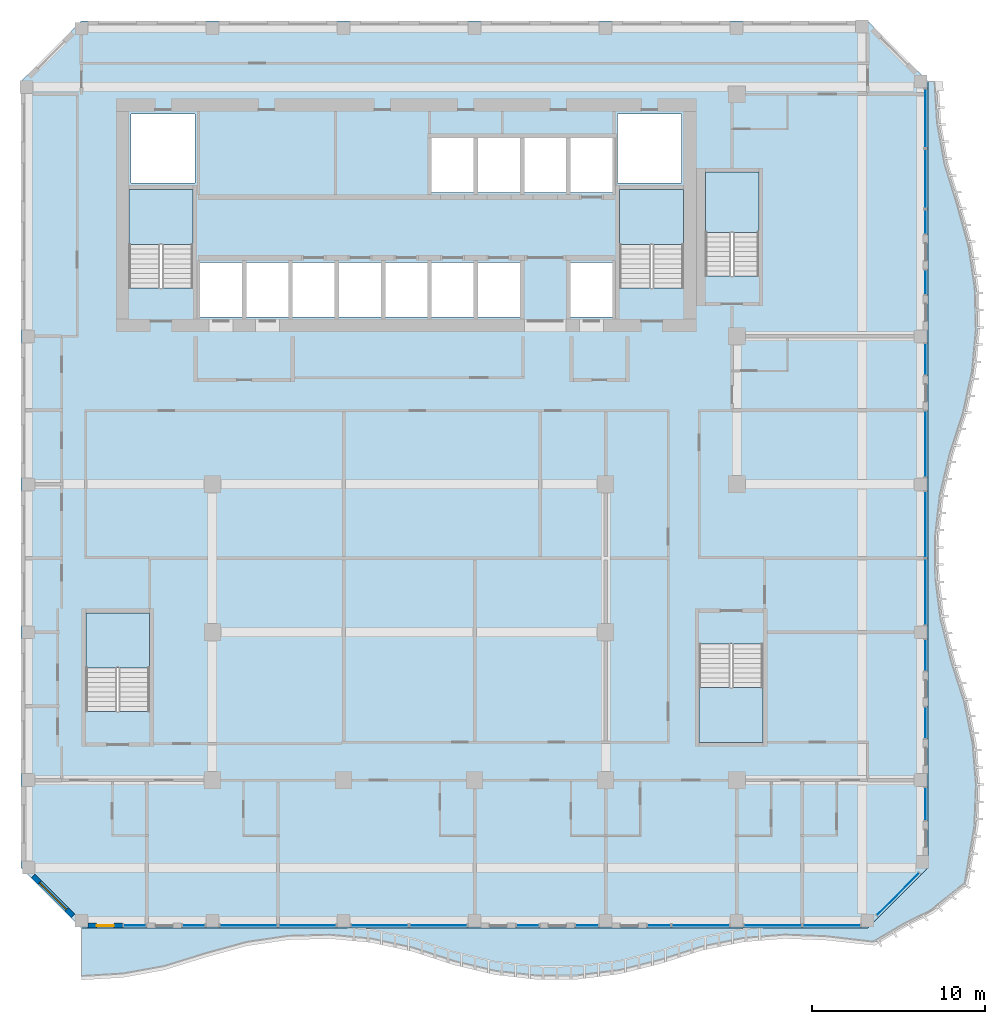
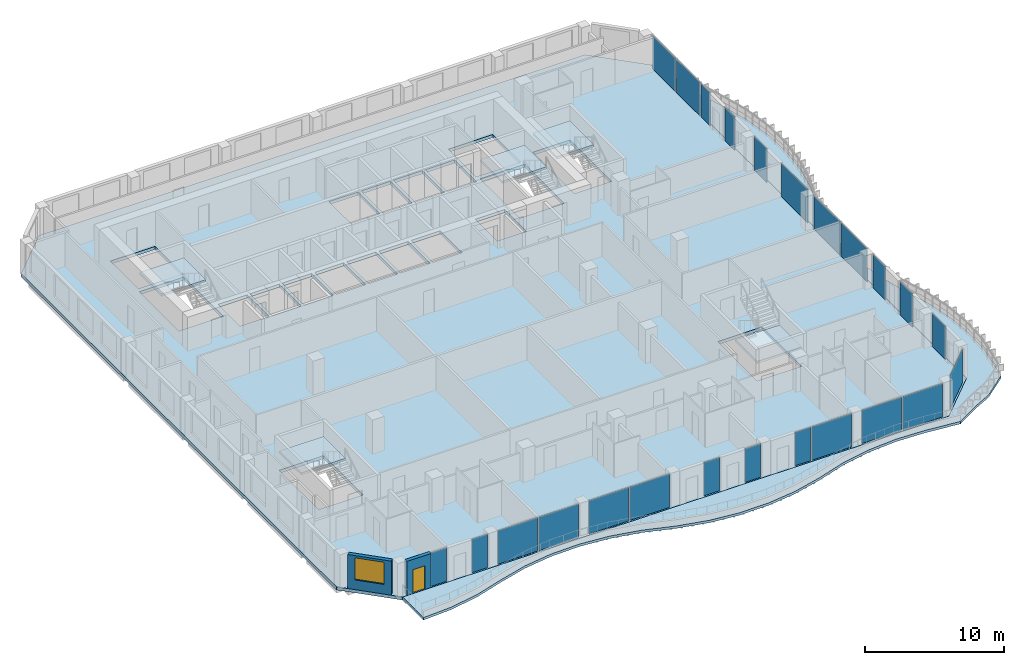
# One storey, part 9 of 22: 24 plates, 7 slabs, 2 walls, 1 door, 1 window, 2 openings, 29 elements without a shape of their own.
"""IFC4 building model written with IfcOpenShell, lengths in metres."""

from ifc_helpers import new_model, si_unit, direction, frame, frame_2d, origin, origin_2d, place, context, subcontext, project, spatial, polyline, rectangle, outline, extrude, source, transform, mapped, material, layer, layer_set, type_object, element, fill, aggregate, save


model = new_model("IFC4")

# Units and contexts
model_context = context("Model", 3, precision=1e-05, world=origin(), true_north=direction((0.0, 1.0)))
body_context = subcontext(model_context, "Body", "Model", "MODEL_VIEW")
ifc_project = project(units=[si_unit("LENGTHUNIT", "METRE"), si_unit("AREAUNIT", "SQUARE_METRE"), si_unit("VOLUMEUNIT", "CUBIC_METRE"), si_unit("PLANEANGLEUNIT", "RADIAN"), si_unit("MASSUNIT", "GRAM", prefix="KILO")], contexts=[model_context])

# Site, building, storey
site_placement = place(None, origin())
site = spatial("IfcSite", under=ifc_project, at=site_placement, CompositionType="ELEMENT")
building_placement = place(site_placement, origin())
building = spatial("IfcBuilding", under=site, at=building_placement, Name="Kilnfold Tower and Market Hall", CompositionType="ELEMENT")
storey_placement = place(building_placement, frame((0.0, 0.0, 220.300048828125)))
storey = spatial("IfcBuildingStorey", under=building, at=storey_placement, Name="L54", CompositionType="ELEMENT", Elevation=220.300048828125)

# Slab
ifc_material_1 = material(Name="Concrete C45", Category="concrete")
ifc_layer_1 = layer(ifc_material_1, 0.280029296875)
ifc_layer_set_1 = layer_set([ifc_layer_1], Name="Concrete C45")
slab_type_1 = type_object("IfcSlabType", Name="FLOOR SLAB 280", PredefinedType="FLOOR", material=ifc_layer_set_1)
shared_shape_1 = source(origin(), body_context, "Body", "SweptSolid", [
    extrude(outline(polyline([(-17.75, -26.25), (27.75, -26.25), (31.25, -22.75), (31.25, 22.75), (27.75, 26.25), (-17.75, 26.25), (-21.25, 22.75), (-21.25, -22.75), (-17.75, -26.25)]), holes=[polyline([(-13.800537109375, -13.699462890625), (-17.49951171875, -13.699462890625), (-17.49951171875, -8.00048828125), (-13.800537109375, -8.00048828125), (-13.800537109375, -13.699462890625)]), polyline([(-14.99951171875, 10.800537109375), (-14.99951171875, 16.49951171875), (-11.300537109375, 16.49951171875), (-11.300537109375, 10.800537109375), (-14.99951171875, 10.800537109375)]), polyline([(-11.175048828125, 16.875), (-14.875, 16.875), (-14.875, 20.875), (-11.175048828125, 20.875), (-11.175048828125, 16.875)]), polyline([(-8.455078125, 9.125), (-10.885009765625, 9.125), (-10.885009765625, 12.27490234375), (-8.455078125, 12.27490234375), (-8.455078125, 9.125)]), polyline([(-5.77490234375, 9.125), (-8.205078125, 9.125), (-8.205078125, 12.27490234375), (-5.77490234375, 12.27490234375), (-5.77490234375, 9.125)]), polyline([(-3.094970703125, 9.125), (-5.52490234375, 9.125), (-5.52490234375, 12.27490234375), (-3.094970703125, 12.27490234375), (-3.094970703125, 9.125)]), polyline([(-0.4150390625, 9.125), (-2.844970703125, 9.125), (-2.844970703125, 12.27490234375), (-0.4150390625, 12.27490234375), (-0.4150390625, 9.125)]), polyline([(2.264892578125, 9.125), (-0.1650390625, 9.125), (-0.1650390625, 12.27490234375), (2.264892578125, 12.27490234375), (2.264892578125, 9.125)]), polyline([(4.945068359375, 9.125), (2.514892578125, 9.125), (2.514892578125, 12.27490234375), (4.945068359375, 12.27490234375), (4.945068359375, 9.125)]), polyline([(2.514892578125, 16.324951171875), (2.514892578125, 19.47509765625), (4.945068359375, 19.47509765625), (4.945068359375, 16.324951171875), (2.514892578125, 16.324951171875)]), polyline([(7.625, 9.125), (5.195068359375, 9.125), (5.195068359375, 12.27490234375), (7.625, 12.27490234375), (7.625, 9.125)]), polyline([(7.625, 16.324951171875), (5.195068359375, 16.324951171875), (5.195068359375, 19.47509765625), (7.625, 19.47509765625), (7.625, 16.324951171875)]), polyline([(10.304931640625, 16.324951171875), (7.875, 16.324951171875), (7.875, 19.47509765625), (10.304931640625, 19.47509765625), (10.304931640625, 16.324951171875)]), polyline([(10.554931640625, 9.125), (10.554931640625, 12.27490234375), (12.985107421875, 12.27490234375), (12.985107421875, 9.125), (10.554931640625, 9.125)]), polyline([(10.554931640625, 16.324951171875), (10.554931640625, 19.47509765625), (12.985107421875, 19.47509765625), (12.985107421875, 16.324951171875), (10.554931640625, 16.324951171875)]), polyline([(13.27490234375, 16.875), (13.27490234375, 20.875), (16.97509765625, 20.875), (16.97509765625, 16.875), (13.27490234375, 16.875)]), polyline([(13.400390625, 10.800537109375), (13.400390625, 16.49951171875), (17.099609375, 16.49951171875), (17.099609375, 10.800537109375), (13.400390625, 10.800537109375)]), polyline([(18.00048828125, -9.800537109375), (21.699462890625, -9.800537109375), (21.699462890625, -15.49951171875), (18.00048828125, -15.49951171875), (18.00048828125, -9.800537109375)]), polyline([(21.449462890625, 11.50048828125), (18.3505859375, 11.50048828125), (18.3505859375, 17.49951171875), (21.449462890625, 17.49951171875), (21.449462890625, 11.50048828125)])]), origin(), (0.0, 0.0, 1.0), 0.280029296875),
])
slab_1_placement = place(storey_placement, frame((0.0, 0.0, -0.280029296875)))
element("IfcSlab", 1, at=slab_1_placement, inside=storey, type_object=slab_type_1, Name="Floor slab L54", PredefinedType="FLOOR", context=body_context, shape_type="MappedRepresentation", body=[
    mapped(shared_shape_1, transform((0.0, 0.0, 0.0))),
])

# Curtain wall, plate
ifc_material_2 = material(Name="Aluminium and double glazing", Category="aluminium")
curtain_wall_type = type_object("IfcCurtainWallType", Name="CW GARDEN HOTEL WINTER GARDEN", PredefinedType="NOTDEFINED", material=ifc_material_2)
curtain_wall_1_placement = place(storey_placement, origin())
curtain_wall_1 = element("IfcCurtainWall", 2, at=curtain_wall_1_placement, inside=storey, type_object=curtain_wall_type, Name="Curtain wall CW5 L54 S", PredefinedType="NOTDEFINED")
ifc_material_3 = material(Name="Double glazed unit")
ifc_layer_2 = layer(ifc_material_3, 0.033935546875)
ifc_layer_set_2 = layer_set([ifc_layer_2], Name="Double glazed unit")
plate_type = type_object("IfcPlateType", Name="GLAZING PANEL 34", PredefinedType="CURTAIN_PANEL", material=ifc_layer_set_2)
shared_shape_2 = source(origin(), body_context, "Body", "SweptSolid", [
    extrude(rectangle(XDim=1.28662109375, YDim=0.033935546875, at=origin_2d()), origin(), (0.0, 0.0, 1.0), 2.93505859375),
])
plate_1_placement = place(storey_placement, frame((-14.666748046875, -26.10009765625, 0.0), z_axis=(0.0, 0.0, 1.0), x_axis=(1.0, 0.0, 0.0)))
plate_1 = element("IfcPlate", 3, at=plate_1_placement, type_object=plate_type, Name="CW5 panel 1.1", PredefinedType="CURTAIN_PANEL", context=body_context, shape_type="MappedRepresentation", body=[
    mapped(shared_shape_2, transform((0.0, 0.0, 0.0))),
])
aggregate(curtain_wall_1, [plate_1])

curtain_wall_2_placement = place(storey_placement, origin())
curtain_wall_2 = element("IfcCurtainWall", 4, at=curtain_wall_2_placement, inside=storey, type_object=curtain_wall_type, Name="Curtain wall CW5 L54 S", PredefinedType="NOTDEFINED")
plate_2_placement = place(storey_placement, frame((-11.25, -26.10009765625, 0.0), z_axis=(0.0, 0.0, 1.0), x_axis=(1.0, 0.0, 0.0)))
plate_2 = element("IfcPlate", 5, at=plate_2_placement, type_object=plate_type, Name="CW5 panel 1.1", PredefinedType="CURTAIN_PANEL", context=body_context, shape_type="MappedRepresentation", body=[
    mapped(shared_shape_2, transform((0.0, 0.0, 0.0))),
])
aggregate(curtain_wall_2, [plate_2])

curtain_wall_3_placement = place(storey_placement, origin())
curtain_wall_3 = element("IfcCurtainWall", 6, at=curtain_wall_3_placement, inside=storey, type_object=curtain_wall_type, Name="Curtain wall CW5 L54 S", PredefinedType="NOTDEFINED")
plate_3_placement = place(storey_placement, frame((8.083251953125, -26.10009765625, 0.0), z_axis=(0.0, 0.0, 1.0), x_axis=(1.0, 0.0, 0.0)))
plate_3 = element("IfcPlate", 7, at=plate_3_placement, type_object=plate_type, Name="CW5 panel 1.1", PredefinedType="CURTAIN_PANEL", context=body_context, shape_type="MappedRepresentation", body=[
    mapped(shared_shape_2, transform((0.0, 0.0, 0.0))),
])
aggregate(curtain_wall_3, [plate_3])

curtain_wall_4_placement = place(storey_placement, origin())
curtain_wall_4 = element("IfcCurtainWall", 8, at=curtain_wall_4_placement, inside=storey, type_object=curtain_wall_type, Name="Curtain wall CW5 L54 S", PredefinedType="NOTDEFINED")
plate_4_placement = place(storey_placement, frame((11.5, -26.10009765625, 0.0), z_axis=(0.0, 0.0, 1.0), x_axis=(1.0, 0.0, 0.0)))
plate_4 = element("IfcPlate", 9, at=plate_4_placement, type_object=plate_type, Name="CW5 panel 1.1", PredefinedType="CURTAIN_PANEL", context=body_context, shape_type="MappedRepresentation", body=[
    mapped(shared_shape_2, transform((0.0, 0.0, 0.0))),
])
aggregate(curtain_wall_4, [plate_4])

curtain_wall_5_placement = place(storey_placement, origin())
curtain_wall_5 = element("IfcCurtainWall", 10, at=curtain_wall_5_placement, inside=storey, type_object=curtain_wall_type, Name="Curtain wall CW5 L54 S", PredefinedType="NOTDEFINED")
plate_5_placement = place(storey_placement, frame((15.666748046875, -26.10009765625, 0.0), z_axis=(0.0, 0.0, 1.0), x_axis=(1.0, 0.0, 0.0)))
plate_5 = element("IfcPlate", 11, at=plate_5_placement, type_object=plate_type, Name="CW5 panel 1.1", PredefinedType="CURTAIN_PANEL", context=body_context, shape_type="MappedRepresentation", body=[
    mapped(shared_shape_2, transform((0.0, 0.0, 0.0))),
])
aggregate(curtain_wall_5, [plate_5])

curtain_wall_6_placement = place(storey_placement, origin())
curtain_wall_6 = element("IfcCurtainWall", 12, at=curtain_wall_6_placement, inside=storey, type_object=curtain_wall_type, Name="Curtain wall CW5 L54 S", PredefinedType="NOTDEFINED")
shared_shape_3 = source(origin(), body_context, "Body", "SweptSolid", [
    extrude(rectangle(XDim=3.28662109375, YDim=0.033935546875, at=origin_2d()), origin(), (0.0, 0.0, 1.0), 2.93505859375),
])
plate_6_placement = place(storey_placement, frame((-8.083251953125, -26.10009765625, 0.0), z_axis=(0.0, 0.0, 1.0), x_axis=(1.0, 0.0, 0.0)))
plate_6 = element("IfcPlate", 13, at=plate_6_placement, type_object=plate_type, Name="CW5 panel 1.1", PredefinedType="CURTAIN_PANEL", context=body_context, shape_type="MappedRepresentation", body=[
    mapped(shared_shape_3, transform((0.0, 0.0, 0.0))),
])
aggregate(curtain_wall_6, [plate_6])

curtain_wall_7_placement = place(storey_placement, origin())
curtain_wall_7 = element("IfcCurtainWall", 14, at=curtain_wall_7_placement, inside=storey, type_object=curtain_wall_type, Name="Curtain wall CW5 L54 S", PredefinedType="NOTDEFINED")
plate_7_placement = place(storey_placement, frame((-4.666748046875, -26.10009765625, 0.0), z_axis=(0.0, 0.0, 1.0), x_axis=(1.0, 0.0, 0.0)))
plate_7 = element("IfcPlate", 15, at=plate_7_placement, type_object=plate_type, Name="CW5 panel 1.1", PredefinedType="CURTAIN_PANEL", context=body_context, shape_type="MappedRepresentation", body=[
    mapped(shared_shape_3, transform((0.0, 0.0, 0.0))),
])
aggregate(curtain_wall_7, [plate_7])

curtain_wall_8_placement = place(storey_placement, origin())
curtain_wall_8 = element("IfcCurtainWall", 16, at=curtain_wall_8_placement, inside=storey, type_object=curtain_wall_type, Name="Curtain wall CW5 L54 S", PredefinedType="NOTDEFINED")
plate_8_placement = place(storey_placement, frame((-0.5, -26.10009765625, 0.0), z_axis=(0.0, 0.0, 1.0), x_axis=(1.0, 0.0, 0.0)))
plate_8 = element("IfcPlate", 17, at=plate_8_placement, type_object=plate_type, Name="CW5 panel 1.1", PredefinedType="CURTAIN_PANEL", context=body_context, shape_type="MappedRepresentation", body=[
    mapped(shared_shape_3, transform((0.0, 0.0, 0.0))),
])
aggregate(curtain_wall_8, [plate_8])

curtain_wall_9_placement = place(storey_placement, origin())
curtain_wall_9 = element("IfcCurtainWall", 18, at=curtain_wall_9_placement, inside=storey, type_object=curtain_wall_type, Name="Curtain wall CW5 L54 S", PredefinedType="NOTDEFINED")
plate_9_placement = place(storey_placement, frame((2.916748046875, -26.10009765625, 0.0), z_axis=(0.0, 0.0, 1.0), x_axis=(1.0, 0.0, 0.0)))
plate_9 = element("IfcPlate", 19, at=plate_9_placement, type_object=plate_type, Name="CW5 panel 1.1", PredefinedType="CURTAIN_PANEL", context=body_context, shape_type="MappedRepresentation", body=[
    mapped(shared_shape_3, transform((0.0, 0.0, 0.0))),
])
aggregate(curtain_wall_9, [plate_9])

curtain_wall_10_placement = place(storey_placement, origin())
curtain_wall_10 = element("IfcCurtainWall", 20, at=curtain_wall_10_placement, inside=storey, type_object=curtain_wall_type, Name="Curtain wall CW5 L54 S", PredefinedType="NOTDEFINED")
plate_10_placement = place(storey_placement, frame((18.083251953125, -26.10009765625, 0.0), z_axis=(0.0, 0.0, 1.0), x_axis=(1.0, 0.0, 0.0)))
plate_10 = element("IfcPlate", 21, at=plate_10_placement, type_object=plate_type, Name="CW5 panel 1.1", PredefinedType="CURTAIN_PANEL", context=body_context, shape_type="MappedRepresentation", body=[
    mapped(shared_shape_3, transform((0.0, 0.0, 0.0))),
])
aggregate(curtain_wall_10, [plate_10])

curtain_wall_11_placement = place(storey_placement, origin())
curtain_wall_11 = element("IfcCurtainWall", 22, at=curtain_wall_11_placement, inside=storey, type_object=curtain_wall_type, Name="Curtain wall CW5 L54 S", PredefinedType="NOTDEFINED")
plate_11_placement = place(storey_placement, frame((22.25, -26.10009765625, 0.0), z_axis=(0.0, 0.0, 1.0), x_axis=(1.0, 0.0, 0.0)))
plate_11 = element("IfcPlate", 23, at=plate_11_placement, type_object=plate_type, Name="CW5 panel 1.1", PredefinedType="CURTAIN_PANEL", context=body_context, shape_type="MappedRepresentation", body=[
    mapped(shared_shape_3, transform((0.0, 0.0, 0.0))),
])
aggregate(curtain_wall_11, [plate_11])

curtain_wall_12_placement = place(storey_placement, origin())
curtain_wall_12 = element("IfcCurtainWall", 24, at=curtain_wall_12_placement, inside=storey, type_object=curtain_wall_type, Name="Curtain wall CW5 L54 S", PredefinedType="NOTDEFINED")
plate_12_placement = place(storey_placement, frame((25.666748046875, -26.10009765625, 0.0), z_axis=(0.0, 0.0, 1.0), x_axis=(1.0, 0.0, 0.0)))
plate_12 = element("IfcPlate", 25, at=plate_12_placement, type_object=plate_type, Name="CW5 panel 1.1", PredefinedType="CURTAIN_PANEL", context=body_context, shape_type="MappedRepresentation", body=[
    mapped(shared_shape_3, transform((0.0, 0.0, 0.0))),
])
aggregate(curtain_wall_12, [plate_12])

curtain_wall_13_placement = place(storey_placement, origin())
curtain_wall_13 = element("IfcCurtainWall", 26, at=curtain_wall_13_placement, inside=storey, type_object=curtain_wall_type, Name="Curtain wall CW5 L54 SE", PredefinedType="NOTDEFINED")
shared_shape_4 = source(origin(), body_context, "Body", "SweptSolid", [
    extrude(rectangle(XDim=3.44091796875, YDim=0.033935546875, at=origin_2d()), origin(), (0.0, 0.0, 1.0), 2.93505859375),
])
plate_13_placement = place(storey_placement, frame((29.50634765625, -24.281494140625, 0.0), z_axis=(0.0, 0.0, 1.0), x_axis=(0.707092779216, 0.70712078288, 0.0)))
plate_13 = element("IfcPlate", 27, at=plate_13_placement, type_object=plate_type, Name="CW5 panel 1.1", PredefinedType="CURTAIN_PANEL", context=body_context, shape_type="MappedRepresentation", body=[
    mapped(shared_shape_4, transform((0.0, 0.0, 0.0))),
])
aggregate(curtain_wall_13, [plate_13])

curtain_wall_14_placement = place(storey_placement, origin())
curtain_wall_14 = element("IfcCurtainWall", 28, at=curtain_wall_14_placement, inside=storey, type_object=curtain_wall_type, Name="Curtain wall CW5 L54 E", PredefinedType="NOTDEFINED")
shared_shape_5 = source(origin(), body_context, "Body", "SweptSolid", [
    extrude(rectangle(XDim=1.8642578125, YDim=0.033935546875, at=origin_2d()), origin(), (0.0, 0.0, 1.0), 2.93505859375),
])
plate_14_placement = place(storey_placement, frame((31.10009765625, -19.0595703125, 0.0), z_axis=(0.0, 0.0, 1.0), x_axis=(0.0, 1.0, 0.0)))
plate_14 = element("IfcPlate", 29, at=plate_14_placement, type_object=plate_type, Name="CW5 panel 1.1", PredefinedType="CURTAIN_PANEL", context=body_context, shape_type="MappedRepresentation", body=[
    mapped(shared_shape_5, transform((0.0, 0.0, 0.0))),
])
aggregate(curtain_wall_14, [plate_14])

curtain_wall_15_placement = place(storey_placement, origin())
curtain_wall_15 = element("IfcCurtainWall", 30, at=curtain_wall_15_placement, inside=storey, type_object=curtain_wall_type, Name="Curtain wall CW5 L54 E", PredefinedType="NOTDEFINED")
shared_shape_6 = source(origin(), body_context, "Body", "SweptSolid", [
    extrude(rectangle(XDim=1.7763671875, YDim=0.033935546875, at=origin_2d()), origin(), (0.0, 0.0, 1.0), 2.93505859375),
])
plate_15_placement = place(storey_placement, frame((31.10009765625, -14.359375, 0.0), z_axis=(0.0, 0.0, 1.0), x_axis=(0.0, 1.0, 0.0)))
plate_15 = element("IfcPlate", 31, at=plate_15_placement, type_object=plate_type, Name="CW5 panel 1.1", PredefinedType="CURTAIN_PANEL", context=body_context, shape_type="MappedRepresentation", body=[
    mapped(shared_shape_6, transform((0.0, 0.0, 0.0))),
])
aggregate(curtain_wall_15, [plate_15])

curtain_wall_16_placement = place(storey_placement, origin())
curtain_wall_16 = element("IfcCurtainWall", 32, at=curtain_wall_16_placement, inside=storey, type_object=curtain_wall_type, Name="Curtain wall CW5 L54 E", PredefinedType="NOTDEFINED")
shared_shape_7 = source(origin(), body_context, "Body", "SweptSolid", [
    extrude(rectangle(XDim=1.776123046875, YDim=0.033935546875, at=origin_2d()), origin(), (0.0, 0.0, 1.0), 2.93505859375),
])
plate_16_placement = place(storey_placement, frame((31.10009765625, -10.453125, 0.0), z_axis=(0.0, 0.0, 1.0), x_axis=(0.0, 1.0, 0.0)))
plate_16 = element("IfcPlate", 33, at=plate_16_placement, type_object=plate_type, Name="CW5 panel 1.1", PredefinedType="CURTAIN_PANEL", context=body_context, shape_type="MappedRepresentation", body=[
    mapped(shared_shape_7, transform((0.0, 0.0, 0.0))),
])
aggregate(curtain_wall_16, [plate_16])

curtain_wall_17_placement = place(storey_placement, origin())
curtain_wall_17 = element("IfcCurtainWall", 34, at=curtain_wall_17_placement, inside=storey, type_object=curtain_wall_type, Name="Curtain wall CW5 L54 E", PredefinedType="NOTDEFINED")
plate_17_placement = place(storey_placement, frame((31.10009765625, 6.671875, 0.0), z_axis=(0.0, 0.0, 1.0), x_axis=(0.0, 1.0, 0.0)))
plate_17 = element("IfcPlate", 35, at=plate_17_placement, type_object=plate_type, Name="CW5 panel 1.1", PredefinedType="CURTAIN_PANEL", context=body_context, shape_type="MappedRepresentation", body=[
    mapped(shared_shape_7, transform((0.0, 0.0, 0.0))),
])
aggregate(curtain_wall_17, [plate_17])

curtain_wall_18_placement = place(storey_placement, origin())
curtain_wall_18 = element("IfcCurtainWall", 36, at=curtain_wall_18_placement, inside=storey, type_object=curtain_wall_type, Name="Curtain wall CW5 L54 E", PredefinedType="NOTDEFINED")
shared_shape_8 = source(origin(), body_context, "Body", "SweptSolid", [
    extrude(rectangle(XDim=3.776123046875, YDim=0.033935546875, at=origin_2d()), origin(), (0.0, 0.0, 1.0), 2.93505859375),
])
plate_18_placement = place(storey_placement, frame((31.10009765625, -6.796875, 0.0), z_axis=(0.0, 0.0, 1.0), x_axis=(0.0, 1.0, 0.0)))
plate_18 = element("IfcPlate", 37, at=plate_18_placement, type_object=plate_type, Name="CW5 panel 1.1", PredefinedType="CURTAIN_PANEL", context=body_context, shape_type="MappedRepresentation", body=[
    mapped(shared_shape_8, transform((0.0, 0.0, 0.0))),
])
aggregate(curtain_wall_18, [plate_18])

curtain_wall_19_placement = place(storey_placement, origin())
curtain_wall_19 = element("IfcCurtainWall", 38, at=curtain_wall_19_placement, inside=storey, type_object=curtain_wall_type, Name="Curtain wall CW5 L54 E", PredefinedType="NOTDEFINED")
shared_shape_9 = source(origin(), body_context, "Body", "SweptSolid", [
    extrude(rectangle(XDim=3.7763671875, YDim=0.033935546875, at=origin_2d()), origin(), (0.0, 0.0, 1.0), 2.93505859375),
])
plate_19_placement = place(storey_placement, frame((31.10009765625, -2.890625, 0.0), z_axis=(0.0, 0.0, 1.0), x_axis=(0.0, 1.0, 0.0)))
plate_19 = element("IfcPlate", 39, at=plate_19_placement, type_object=plate_type, Name="CW5 panel 1.1", PredefinedType="CURTAIN_PANEL", context=body_context, shape_type="MappedRepresentation", body=[
    mapped(shared_shape_9, transform((0.0, 0.0, 0.0))),
])
aggregate(curtain_wall_19, [plate_19])

curtain_wall_20_placement = place(storey_placement, origin())
curtain_wall_20 = element("IfcCurtainWall", 40, at=curtain_wall_20_placement, inside=storey, type_object=curtain_wall_type, Name="Curtain wall CW5 L54 E", PredefinedType="NOTDEFINED")
plate_20_placement = place(storey_placement, frame((31.10009765625, 1.765625, 0.0), z_axis=(0.0, 0.0, 1.0), x_axis=(0.0, 1.0, 0.0)))
plate_20 = element("IfcPlate", 41, at=plate_20_placement, type_object=plate_type, Name="CW5 panel 1.1", PredefinedType="CURTAIN_PANEL", context=body_context, shape_type="MappedRepresentation", body=[
    mapped(shared_shape_9, transform((0.0, 0.0, 0.0))),
])
aggregate(curtain_wall_20, [plate_20])

curtain_wall_21_placement = place(storey_placement, origin())
curtain_wall_21 = element("IfcCurtainWall", 42, at=curtain_wall_21_placement, inside=storey, type_object=curtain_wall_type, Name="Curtain wall CW5 L54 E", PredefinedType="NOTDEFINED")
shared_shape_10 = source(origin(), body_context, "Body", "SweptSolid", [
    extrude(rectangle(XDim=1.3701171875, YDim=0.033935546875, at=origin_2d()), origin(), (0.0, 0.0, 1.0), 2.93505859375),
])
plate_21_placement = place(storey_placement, frame((31.10009765625, 11.125, 0.0), z_axis=(0.0, 0.0, 1.0), x_axis=(0.0, 1.0, 0.0)))
plate_21 = element("IfcPlate", 43, at=plate_21_placement, type_object=plate_type, Name="CW5 panel 1.1", PredefinedType="CURTAIN_PANEL", context=body_context, shape_type="MappedRepresentation", body=[
    mapped(shared_shape_10, transform((0.0, 0.0, 0.0))),
])
aggregate(curtain_wall_21, [plate_21])

curtain_wall_22_placement = place(storey_placement, origin())
curtain_wall_22 = element("IfcCurtainWall", 44, at=curtain_wall_22_placement, inside=storey, type_object=curtain_wall_type, Name="Curtain wall CW5 L54 E", PredefinedType="NOTDEFINED")
plate_22_placement = place(storey_placement, frame((31.10009765625, 14.625, 0.0), z_axis=(0.0, 0.0, 1.0), x_axis=(0.0, 1.0, 0.0)))
plate_22 = element("IfcPlate", 45, at=plate_22_placement, type_object=plate_type, Name="CW5 panel 1.1", PredefinedType="CURTAIN_PANEL", context=body_context, shape_type="MappedRepresentation", body=[
    mapped(shared_shape_10, transform((0.0, 0.0, 0.0))),
])
aggregate(curtain_wall_22, [plate_22])

curtain_wall_23_placement = place(storey_placement, origin())
curtain_wall_23 = element("IfcCurtainWall", 46, at=curtain_wall_23_placement, inside=storey, type_object=curtain_wall_type, Name="Curtain wall CW5 L54 E", PredefinedType="NOTDEFINED")
shared_shape_11 = source(origin(), body_context, "Body", "SweptSolid", [
    extrude(rectangle(XDim=3.3701171875, YDim=0.033935546875, at=origin_2d()), origin(), (0.0, 0.0, 1.0), 2.93505859375),
])
plate_23_placement = place(storey_placement, frame((31.10009765625, 17.125, 0.0), z_axis=(0.0, 0.0, 1.0), x_axis=(0.0, 1.0, 0.0)))
plate_23 = element("IfcPlate", 47, at=plate_23_placement, type_object=plate_type, Name="CW5 panel 1.1", PredefinedType="CURTAIN_PANEL", context=body_context, shape_type="MappedRepresentation", body=[
    mapped(shared_shape_11, transform((0.0, 0.0, 0.0))),
])
aggregate(curtain_wall_23, [plate_23])

curtain_wall_24_placement = place(storey_placement, origin())
curtain_wall_24 = element("IfcCurtainWall", 48, at=curtain_wall_24_placement, inside=storey, type_object=curtain_wall_type, Name="Curtain wall CW5 L54 E", PredefinedType="NOTDEFINED")
plate_24_placement = place(storey_placement, frame((31.10009765625, 20.625, 0.0), z_axis=(0.0, 0.0, 1.0), x_axis=(0.0, 1.0, 0.0)))
plate_24 = element("IfcPlate", 49, at=plate_24_placement, type_object=plate_type, Name="CW5 panel 1.1", PredefinedType="CURTAIN_PANEL", context=body_context, shape_type="MappedRepresentation", body=[
    mapped(shared_shape_11, transform((0.0, 0.0, 0.0))),
])
aggregate(curtain_wall_24, [plate_24])

# Slab
ifc_material_4 = material(Name="Concrete C40/50", Category="concrete")
ifc_layer_3 = layer(ifc_material_4, 0.219970703125)
ifc_layer_set_3 = layer_set([ifc_layer_3], Name="Concrete C40/50")
slab_type_2 = type_object("IfcSlabType", Name="BALCONY SLAB 220", PredefinedType="FLOOR", material=ifc_layer_set_3)
shared_shape_12 = source(origin(), body_context, "Body", "SweptSolid", [
    extrude(outline(polyline([(-17.75, -26.25), (27.75, -26.25), (31.25, -22.75), (31.25, 22.75), (31.85009765625, 22.75), (31.99267578125, 20.355224609375), (32.427001953125, 17.96044921875), (33.166259765625, 15.56591796875), (33.822998046875, 13.171142578125), (34.17529296875, 10.7763671875), (34.2392578125, 8.381591796875), (34.01708984375, 5.98681640625), (33.49951171875, 3.592041015625), (32.720458984375, 1.197509765625), (32.150146484375, -1.197509765625), (31.87841796875, -3.592041015625), (31.893310546875, -5.98681640625), (32.195556640625, -8.381591796875), (32.79833984375, -10.7763671875), (33.568115234375, -13.171142578125), (34.053955078125, -15.56591796875), (34.245849609375, -17.96044921875), (34.152099609375, -20.355224609375), (33.577392578125, -23.714111328125), (31.552734375, -25.385986328125), (29.992919921875, -26.159423828125), (28.163818359375, -27.248779296875), (25.355224609375, -26.94775390625), (22.96044921875, -26.854248046875), (20.56591796875, -27.046142578125), (18.171142578125, -27.531982421875), (15.7763671875, -28.3017578125), (13.381591796875, -28.904541015625), (10.98681640625, -29.20654296875), (8.592041015625, -29.221435546875), (6.197509765625, -28.94970703125), (3.802490234375, -28.379638671875), (1.407958984375, -27.600341796875), (-0.98681640625, -27.082763671875), (-3.381591796875, -26.86083984375), (-5.7763671875, -26.924560546875), (-8.171142578125, -27.27685546875), (-10.56591796875, -27.933837890625), (-12.96044921875, -28.673095703125), (-15.355224609375, -29.107421875), (-17.75, -29.25), (-17.75, -26.25)])), origin(), (0.0, 0.0, 1.0), 0.219970703125),
])
slab_2_placement = place(storey_placement, frame((0.0, 0.0, -0.219970703125)))
element("IfcSlab", 50, at=slab_2_placement, inside=storey, type_object=slab_type_2, Name="Balcony slab L54", PredefinedType="FLOOR", context=body_context, shape_type="MappedRepresentation", body=[
    mapped(shared_shape_12, transform((0.0, 0.0, 0.0))),
])

# Stair, slab
ifc_material_5 = material(Name="Concrete C40/50", Category="concrete")
stair_type_1 = type_object("IfcStairType", Name="CORE STAIR 1800", PredefinedType="HALF_TURN_STAIR", material=ifc_material_5)
stair_1_placement = place(storey_placement, origin())
stair_1 = element("IfcStair", 51, at=stair_1_placement, inside=storey, type_object=stair_type_1, Name="L54 ST1", PredefinedType="HALF_TURN_STAIR")
ifc_material_6 = material(Name="Concrete C40/50", Category="concrete")
ifc_layer_4 = layer(ifc_material_6, 0.199951171875)
ifc_layer_set_4 = layer_set([ifc_layer_4], Name="Concrete C40/50")
slab_type_3 = type_object("IfcSlabType", Name="CORE STAIR LANDING 200", PredefinedType="LANDING", material=ifc_layer_set_4)
shared_shape_13 = source(origin(), body_context, "Body", "SweptSolid", [
    extrude(outline(polyline([(-11.300048828125, 13.320068359375), (-11.300048828125, 16.5), (-15.0, 16.5), (-15.0, 13.320068359375), (-11.300048828125, 13.320068359375)])), origin(), (0.0, 0.0, 1.0), 0.199951171875),
])
slab_3_placement = place(storey_placement, frame((0.0, 0.0, 1.5)))
slab_3 = element("IfcSlab", 52, at=slab_3_placement, type_object=slab_type_3, Name="ST1 landing 1", PredefinedType="LANDING", context=body_context, shape_type="MappedRepresentation", body=[
    mapped(shared_shape_13, transform((0.0, 0.0, 0.0))),
])
aggregate(stair_1, [slab_3])

stair_2_placement = place(storey_placement, origin())
stair_2 = element("IfcStair", 53, at=stair_2_placement, inside=storey, type_object=stair_type_1, Name="L54 ST2", PredefinedType="HALF_TURN_STAIR")
shared_shape_14 = source(origin(), body_context, "Body", "SweptSolid", [
    extrude(outline(polyline([(17.10009765625, 13.320068359375), (17.10009765625, 16.5), (13.39990234375, 16.5), (13.39990234375, 13.320068359375), (17.10009765625, 13.320068359375)])), origin(), (0.0, 0.0, 1.0), 0.199951171875),
])
slab_4_placement = place(storey_placement, frame((0.0, 0.0, 1.5)))
slab_4 = element("IfcSlab", 54, at=slab_4_placement, type_object=slab_type_3, Name="ST2 landing 1", PredefinedType="LANDING", context=body_context, shape_type="MappedRepresentation", body=[
    mapped(shared_shape_14, transform((0.0, 0.0, 0.0))),
])
aggregate(stair_2, [slab_4])

stair_3_placement = place(storey_placement, origin())
stair_3 = element("IfcStair", 55, at=stair_3_placement, inside=storey, type_object=stair_type_1, Name="L54 ST3", PredefinedType="HALF_TURN_STAIR")
shared_shape_15 = source(origin(), body_context, "Body", "SweptSolid", [
    extrude(outline(polyline([(-13.800048828125, -11.179931640625), (-13.800048828125, -8.0), (-17.5, -8.0), (-17.5, -11.179931640625), (-13.800048828125, -11.179931640625)])), origin(), (0.0, 0.0, 1.0), 0.199951171875),
])
slab_5_placement = place(storey_placement, frame((0.0, 0.0, 1.5)))
slab_5 = element("IfcSlab", 56, at=slab_5_placement, type_object=slab_type_3, Name="ST3 landing 1", PredefinedType="LANDING", context=body_context, shape_type="MappedRepresentation", body=[
    mapped(shared_shape_15, transform((0.0, 0.0, 0.0))),
])
aggregate(stair_3, [slab_5])

stair_4_placement = place(storey_placement, origin())
stair_4 = element("IfcStair", 57, at=stair_4_placement, inside=storey, type_object=stair_type_1, Name="L54 ST4", PredefinedType="HALF_TURN_STAIR")
shared_shape_16 = source(origin(), body_context, "Body", "SweptSolid", [
    extrude(outline(polyline([(18.0, -12.320068359375), (18.0, -15.5), (21.699951171875, -15.5), (21.699951171875, -12.320068359375), (18.0, -12.320068359375)])), origin(), (0.0, 0.0, 1.0), 0.199951171875),
])
slab_6_placement = place(storey_placement, frame((0.0, 0.0, 1.5)))
slab_6 = element("IfcSlab", 58, at=slab_6_placement, type_object=slab_type_3, Name="ST4 landing 1", PredefinedType="LANDING", context=body_context, shape_type="MappedRepresentation", body=[
    mapped(shared_shape_16, transform((0.0, 0.0, 0.0))),
])
aggregate(stair_4, [slab_6])

ifc_material_7 = material(Name="Concrete C40/50", Category="concrete")
stair_type_2 = type_object("IfcStairType", Name="CORE STAIR 1500", PredefinedType="HALF_TURN_STAIR", material=ifc_material_7)
stair_5_placement = place(storey_placement, origin())
stair_5 = element("IfcStair", 59, at=stair_5_placement, inside=storey, type_object=stair_type_2, Name="L54 ST5", PredefinedType="HALF_TURN_STAIR")
shared_shape_17 = source(origin(), body_context, "Body", "SweptSolid", [
    extrude(outline(polyline([(21.449951171875, 14.02001953125), (21.449951171875, 17.5), (18.35009765625, 17.5), (18.35009765625, 14.02001953125), (21.449951171875, 14.02001953125)])), origin(), (0.0, 0.0, 1.0), 0.199951171875),
])
slab_7_placement = place(storey_placement, frame((0.0, 0.0, 1.5)))
slab_7 = element("IfcSlab", 60, at=slab_7_placement, type_object=slab_type_3, Name="ST5 landing 1", PredefinedType="LANDING", context=body_context, shape_type="MappedRepresentation", body=[
    mapped(shared_shape_17, transform((0.0, 0.0, 0.0))),
])
aggregate(stair_5, [slab_7])

# Wall, opening, door
ifc_material_8 = material(Name="Precast concrete C50/60", Category="concrete")
ifc_layer_5 = layer(ifc_material_8, 0.300048828125)
ifc_layer_set_5 = layer_set([ifc_layer_5], Name="Precast concrete C50/60")
wall_type = type_object("IfcWallType", Name="PRECAST WALL 300", PredefinedType="SOLIDWALL", material=ifc_layer_set_5)
shared_shape_18 = source(origin(), body_context, "Body", "SweptSolid", [
    extrude(rectangle(XDim=2.0, YDim=0.300048828125, at=frame_2d((1.0, 0.0))), origin(), (0.0, 0.0, 1.0), 3.0),
])
wall_1_placement = place(storey_placement, frame((-17.375, -26.10009765625, 0.0), z_axis=(0.0, 0.0, 1.0), x_axis=(1.0, 0.0, 0.0)))
wall_1 = element("IfcWall", 61, at=wall_1_placement, inside=storey, type_object=wall_type, Name="External wall L54 S", PredefinedType="SOLIDWALL", context=body_context, shape_type="MappedRepresentation", body=[
    mapped(shared_shape_18, transform((0.0, 0.0, 0.0))),
])
opening_1_placement = place(wall_1_placement, frame((0.5, 0.0, 0.0)))
opening_1 = element("IfcOpeningElement", 62, at=opening_1_placement, cuts=wall_1, Name="Opening BD1", PredefinedType="OPENING", context=body_context, shape_type="SweptSolid", body=[
    extrude(rectangle(XDim=1.0, YDim=2.10009765625, at=frame_2d((0.5, 1.050048828125))), frame((0.0, 0.16015625, 0.0), z_axis=(0.0, -1.0, 0.0), x_axis=(1.0, 0.0, 0.0)), (0.0, 0.0, 1.0), 0.320068359375),
])
ifc_material_9 = material(Name="Aluminium frame and double glazing", Category="aluminium")
door_type = type_object("IfcDoorType", Name="BALCONY DOOR 1000X2100", OperationType="NOTDEFINED", PredefinedType="DOOR", material=ifc_material_9)
door_placement = place(opening_1_placement, origin())
door = element("IfcDoor", 63, at=door_placement, inside=storey, type_object=door_type, Name="Balcony door BD1 L54 S-1", OperationType="SINGLE_SWING_LEFT", OverallHeight=2.10009765625, OverallWidth=1.0, PredefinedType="DOOR", context=body_context, shape_type="SweptSolid", body=[
    extrude(rectangle(XDim=1.0, YDim=2.10009765625, at=frame_2d((0.5, 1.050048828125))), frame((0.0, 0.02490234375, 0.0), z_axis=(0.0, -1.0, 0.0), x_axis=(1.0, 0.0, 0.0)), (0.0, 0.0, 1.0), 0.050048828125),
])
fill(opening_1, door)

# Wall, opening, window
shared_shape_19 = source(origin(), body_context, "Body", "SweptSolid", [
    extrude(rectangle(XDim=3.252685546875, YDim=0.300048828125, at=frame_2d((1.62646484375, 0.0))), origin(), (0.0, 0.0, 1.0), 3.0),
])
wall_2_placement = place(storey_placement, frame((-20.5439453125, -23.243896484375, 0.0), z_axis=(0.0, 0.0, 1.0), x_axis=(0.707106781187, -0.707106781187, 0.0)))
wall_2 = element("IfcWall", 64, at=wall_2_placement, inside=storey, type_object=wall_type, Name="External wall L54 SW", PredefinedType="SOLIDWALL", context=body_context, shape_type="MappedRepresentation", body=[
    mapped(shared_shape_19, transform((0.0, 0.0, 0.0))),
])
opening_2_placement = place(wall_2_placement, frame((0.5263671875, 0.0, 0.85009765625)))
opening_2 = element("IfcOpeningElement", 65, at=opening_2_placement, cuts=wall_2, Name="Opening W2", PredefinedType="OPENING", context=body_context, shape_type="SweptSolid", body=[
    extrude(rectangle(XDim=2.199951171875, YDim=1.949951171875, at=frame_2d((1.10009765625, 0.97509765625))), frame((0.0, 0.16015625, 0.0), z_axis=(0.0, -1.0, 0.0), x_axis=(1.0, 0.0, 0.0)), (0.0, 0.0, 1.0), 0.320068359375),
])
ifc_material_10 = material(Name="Aluminium frame and double glazing", Category="aluminium")
window_type = type_object("IfcWindowType", Name="WINDOW W2 2200X1950", PartitioningType="SINGLE_PANEL", PredefinedType="WINDOW", material=ifc_material_10)
window_placement = place(opening_2_placement, origin())
window = element("IfcWindow", 66, at=window_placement, inside=storey, type_object=window_type, Name="Window W2 L54 SW-1", OverallHeight=1.949951171875, OverallWidth=2.199951171875, PartitioningType="SINGLE_PANEL", PredefinedType="WINDOW", context=body_context, shape_type="SweptSolid", body=[
    extrude(rectangle(XDim=2.199951171875, YDim=1.949951171875, at=frame_2d((1.10009765625, 0.97509765625))), frame((0.0, 0.030029296875, 0.0), z_axis=(0.0, -1.0, 0.0), x_axis=(1.0, 0.0, 0.0)), (0.0, 0.0, 1.0), 0.06005859375),
])
fill(opening_2, window)

save(model, "model.ifc")
